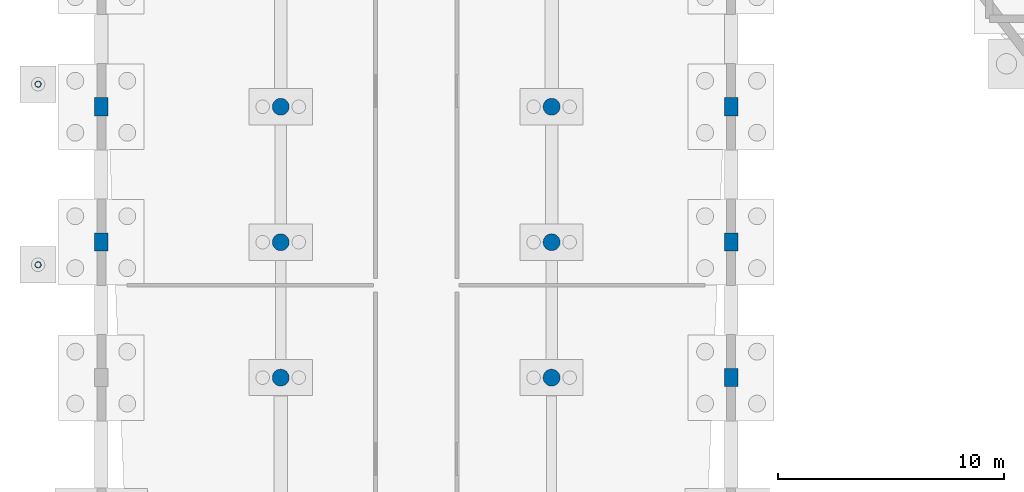
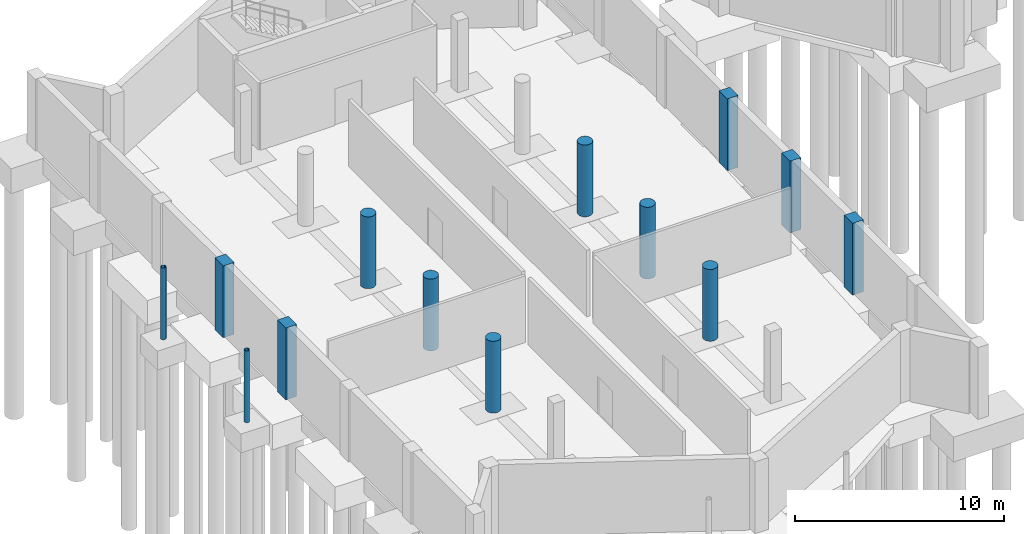
# One storey, part 7 of 43: 13 columns.
"""IFC4 building model written with IfcOpenShell, lengths in metres."""

from ifc_helpers import new_model, si_unit, direction, frame, origin, origin_2d, place, context, subcontext, project, spatial, rectangle, circle, hollow_circle, extrude, material, material_profile, profile_set, type_object, element, save


model = new_model("IFC4")

# Units and contexts
model_context = context("Model", 3, precision=1e-05, world=origin(), true_north=direction((0.0, 1.0)))
body_context = subcontext(model_context, "Body", "Model", "MODEL_VIEW")
ifc_project = project(units=[si_unit("LENGTHUNIT", "METRE"), si_unit("AREAUNIT", "SQUARE_METRE"), si_unit("VOLUMEUNIT", "CUBIC_METRE"), si_unit("PLANEANGLEUNIT", "RADIAN"), si_unit("MASSUNIT", "GRAM", prefix="KILO")], contexts=[model_context])

# Site, building, storey
site_placement = place(None, origin())
site = spatial("IfcSite", under=ifc_project, at=site_placement, CompositionType="ELEMENT")
building_placement = place(site_placement, origin())
building = spatial("IfcBuilding", under=site, at=building_placement, Name="Vespera Passage Community Centre", CompositionType="ELEMENT")
storey_placement = place(building_placement, frame((0.0, 0.0, -4.199951171875)))
storey = spatial("IfcBuildingStorey", under=building, at=storey_placement, Name="B1", CompositionType="ELEMENT", Elevation=-4.199951171875)

# Columns
ifc_material_1 = material(Name="Steel ASTM A500 Grade C", Category="steel")
ifc_material_profile_1 = material_profile(ifc_material_1, hollow_circle(Radius=0.136474609375, WallThickness=0.01171875, at=origin_2d()), Name="CHS273X12.7")
ifc_profile_set_1 = profile_set([ifc_material_profile_1], Name="Steel ASTM A500 Grade C")
column_type_1 = type_object("IfcColumnType", Name="COL-CHS273E", PredefinedType="COLUMN", material=ifc_profile_set_1)
for number, where, z_axis, x_axis, name in (
    (1, (1.25, 24.0, 0.0), (0.0, 0.0, 1.0), (1.0, 0.0, 0.0), "B1 Column EC1-C01"),
    (2, (1.25, 32.0, 0.0), (0.0, 0.0, 1.0), (1.0, 0.0, 0.0), "B1 Column EC1-C02"),
):
    element("IfcColumn", number, at=place(storey_placement, frame(where, z_axis=z_axis, x_axis=x_axis)), inside=storey, type_object=column_type_1, Name=name, PredefinedType="COLUMN", context=body_context, shape_type="SweptSolid", body=[
        extrude(hollow_circle(Radius=0.136474609375, WallThickness=0.01171875, at=origin_2d()), origin(), (0.0, 0.0, 1.0), 4.199951171875),
    ])
ifc_material_2 = material(Name="Concrete f'c 45 MPa", Category="concrete")
ifc_material_profile_2 = material_profile(ifc_material_2, circle(Radius=0.375, at=origin_2d()), Name="RC750DIA")
ifc_profile_set_2 = profile_set([ifc_material_profile_2], Name="Concrete f'c 45 MPa")
column_type_2 = type_object("IfcColumnType", Name="COL-RC750DIA", PredefinedType="COLUMN", material=ifc_profile_set_2)
for number, where, z_axis, x_axis, name in (
    (3, (12.0, 19.0, 0.0), (0.0, 0.0, 1.0), (1.0, 0.0, 0.0), "B1 Column V1-B1-12"),
    (4, (12.0, 25.0, 0.0), (0.0, 0.0, 1.0), (1.0, 0.0, 0.0), "B1 Column V1-B1-13"),
    (5, (12.0, 31.0, 0.0), (0.0, 0.0, 1.0), (1.0, 0.0, 0.0), "B1 Column V1-B1-14"),
    (6, (24.0, 19.0, 0.0), (0.0, 0.0, 1.0), (1.0, 0.0, 0.0), "B1 Column V1-B1-22"),
    (7, (24.0, 25.0, 0.0), (0.0, 0.0, 1.0), (1.0, 0.0, 0.0), "B1 Column V1-B1-23"),
    (8, (24.0, 31.0, 0.0), (0.0, 0.0, 1.0), (1.0, 0.0, 0.0), "B1 Column V1-B1-24"),
):
    element("IfcColumn", number, at=place(storey_placement, frame(where, z_axis=z_axis, x_axis=x_axis)), inside=storey, type_object=column_type_2, Name=name, PredefinedType="COLUMN", context=body_context, shape_type="SweptSolid", body=[
        extrude(circle(Radius=0.375, at=origin_2d()), origin(), (0.0, 0.0, 1.0), 4.199951171875),
    ])
ifc_material_3 = material(Name="Concrete f'c 45 MPa", Category="concrete")
ifc_material_profile_3 = material_profile(ifc_material_3, rectangle(XDim=0.60009765625, YDim=0.800048828125, at=origin_2d()), Name="RC800X600")
ifc_profile_set_3 = profile_set([ifc_material_profile_3], Name="Concrete f'c 45 MPa")
column_type_3 = type_object("IfcColumnType", Name="COL-RC800X600E", PredefinedType="COLUMN", material=ifc_profile_set_3)
for number, where, z_axis, x_axis, name in (
    (9, (31.949951171875, 19.0, 0.0), (0.0, 0.0, 1.0), (1.0, 0.0, 0.0), "B1 Column V1-E3"),
    (10, (31.949951171875, 25.0, 0.0), (0.0, 0.0, 1.0), (1.0, 0.0, 0.0), "B1 Column V1-E4"),
    (11, (31.949951171875, 31.0, 0.0), (0.0, 0.0, 1.0), (1.0, 0.0, 0.0), "B1 Column V1-E5"),
    (12, (4.050048828125, 25.0, 0.0), (0.0, 0.0, 1.0), (1.0, 0.0, 0.0), "B1 Column V1-W4"),
    (13, (4.050048828125, 31.0, 0.0), (0.0, 0.0, 1.0), (1.0, 0.0, 0.0), "B1 Column V1-W5"),
):
    element("IfcColumn", number, at=place(storey_placement, frame(where, z_axis=z_axis, x_axis=x_axis)), inside=storey, type_object=column_type_3, Name=name, PredefinedType="COLUMN", context=body_context, shape_type="SweptSolid", body=[
        extrude(rectangle(XDim=0.60009765625, YDim=0.800048828125, at=origin_2d()), origin(), (0.0, 0.0, 1.0), 4.199951171875),
    ])

save(model, "model.ifc")
